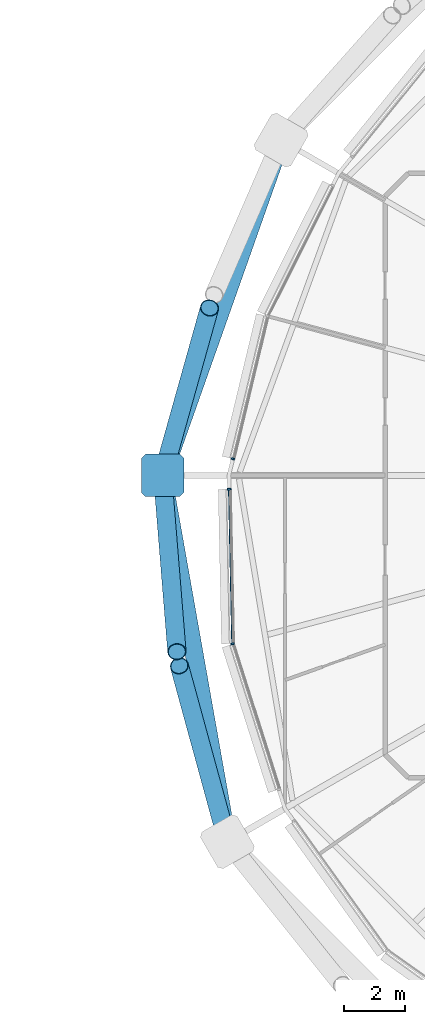
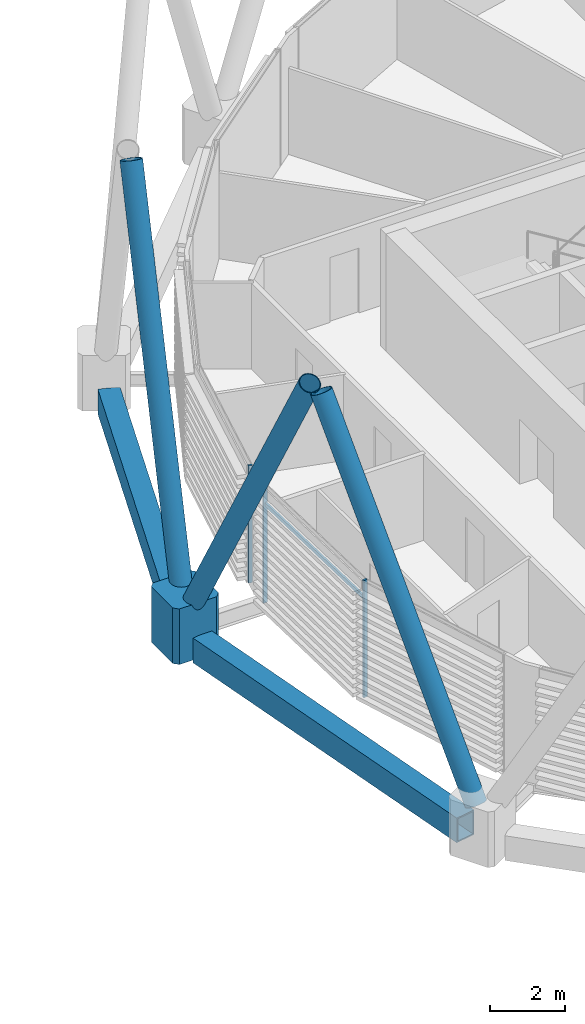
# One storey, part 9 of 37: 8 members, 2 beams, 1 element without a shape of its own.
"""IFC4 building model written with IfcOpenShell, lengths in metres."""

from ifc_helpers import new_model, si_unit, direction, frame, origin, origin_2d, place, context, subcontext, project, spatial, polyline, rectangle, hollow_rectangle, hollow_circle, outline, extrude, material, material_profile, profile_set, type_object, element, aggregate, save


model = new_model("IFC4")

# Units and contexts
model_context = context("Model", 3, precision=1e-05, world=origin(), true_north=direction((0.0, 1.0)))
body_context = subcontext(model_context, "Body", "Model", "MODEL_VIEW")
ifc_project = project(units=[si_unit("LENGTHUNIT", "METRE"), si_unit("AREAUNIT", "SQUARE_METRE"), si_unit("VOLUMEUNIT", "CUBIC_METRE"), si_unit("PLANEANGLEUNIT", "RADIAN"), si_unit("MASSUNIT", "GRAM", prefix="KILO")], contexts=[model_context])

# Site, building, storey
site_placement = place(None, origin())
site = spatial("IfcSite", under=ifc_project, at=site_placement, CompositionType="ELEMENT")
building_placement = place(site_placement, origin())
building = spatial("IfcBuilding", under=site, at=building_placement, Name="Rimbun Link Towers", CompositionType="ELEMENT")
storey_placement = place(building_placement, frame((0.0, 0.0, 170.300048828125)))
storey = spatial("IfcBuildingStorey", under=building, at=storey_placement, Name="L41", CompositionType="ELEMENT", Elevation=170.300048828125)

# Curtain wall, members
ifc_material_1 = material(Name="Aluminium 6063-T6 and low-iron glass", Category="aluminium")
curtain_wall_type = type_object("IfcCurtainWallType", Name="CW1-Z3 unitised vision wall (zone 3)", PredefinedType="NOTDEFINED", material=ifc_material_1)
curtain_wall_placement = place(storey_placement, origin())
curtain_wall = element("IfcCurtainWall", 1, at=curtain_wall_placement, inside=storey, type_object=curtain_wall_type, Name="CW1 L41 T2", PredefinedType="NOTDEFINED")
ifc_material_2 = material(Name="Aluminium 6063-T6", Category="aluminium")
ifc_material_profile_1 = material_profile(ifc_material_2, rectangle(XDim=0.1201171875, YDim=0.06005859375, at=origin_2d()), Name="MULLION 60X120")
ifc_profile_set_1 = profile_set([ifc_material_profile_1], Name="Aluminium 6063-T6")
member_type_1 = type_object("IfcMemberType", Name="CW1 mullion 60X120", PredefinedType="MULLION", material=ifc_profile_set_1)
member_1_placement = place(storey_placement, frame((10.986572265625, 0.548828125, 0.0), z_axis=(0.0, 0.0, 1.0), x_axis=(-0.972573786264, 0.232594562001, 0.0)))
member_1 = element("IfcMember", 2, at=member_1_placement, type_object=member_type_1, Name="CW1 mullion", PredefinedType="MULLION", context=body_context, shape_type="SweptSolid", body=[
    extrude(rectangle(XDim=0.1201171875, YDim=0.06005859375, at=origin_2d()), origin(), (0.0, 0.0, 1.0), 3.800048828125),
])
member_2_placement = place(storey_placement, frame((10.974609375, -5.560791015625, 0.0), z_axis=(0.0, 0.0, 1.0), x_axis=(-0.986503078332, -0.163742714165, 0.0)))
member_2 = element("IfcMember", 3, at=member_2_placement, type_object=member_type_1, Name="CW1 mullion", PredefinedType="MULLION", context=body_context, shape_type="SweptSolid", body=[
    extrude(rectangle(XDim=0.1201171875, YDim=0.06005859375, at=origin_2d()), origin(), (0.0, 0.0, 1.0), 3.800048828125),
])
member_3_placement = place(storey_placement, frame((10.866455078125, -0.451171875, 0.0), z_axis=(0.0, 0.0, 1.0), x_axis=(-0.999778319348, -0.021054979477, 0.0)))
member_3 = element("IfcMember", 4, at=member_3_placement, type_object=member_type_1, Name="CW1 mullion", PredefinedType="MULLION", context=body_context, shape_type="SweptSolid", body=[
    extrude(rectangle(XDim=0.1201171875, YDim=0.06005859375, at=origin_2d()), origin(), (0.0, 0.0, 1.0), 3.800048828125),
])
ifc_material_3 = material(Name="Aluminium 6063-T6", Category="aluminium")
ifc_material_profile_2 = material_profile(ifc_material_3, rectangle(XDim=0.06005859375, YDim=0.1201171875, at=origin_2d()), Name="TRANSOM 60X120")
ifc_profile_set_2 = profile_set([ifc_material_profile_2], Name="Aluminium 6063-T6")
member_type_2 = type_object("IfcMemberType", Name="CW1 transom 60X120", PredefinedType="USERDEFINED", material=ifc_profile_set_2)
member_4_placement = place(storey_placement, frame((10.97509765625, -5.522216796875, 3.199951171875), z_axis=(-0.021014343358, 0.999779174305, 0.0), x_axis=(-0.999779174305, -0.021014343358, 0.0)))
member_4 = element("IfcMember", 5, at=member_4_placement, type_object=member_type_2, Name="CW1 transom", ObjectType="TRANSOM", PredefinedType="USERDEFINED", context=body_context, shape_type="SweptSolid", body=[
    extrude(rectangle(XDim=0.06005859375, YDim=0.1201171875, at=origin_2d()), origin(), (0.0, 0.0, 1.0), 5.042236328125),
])
aggregate(curtain_wall, [member_1, member_2, member_3, member_4])

# Members
ifc_material_4 = material(Name="Steel S355J2H", Category="steel")
ifc_material_profile_3 = material_profile(ifc_material_4, hollow_circle(Radius=0.3046875, WallThickness=0.02490234375, at=origin_2d()), Name="Diagrid diagonal CHS 610x25")
ifc_profile_set_3 = profile_set([ifc_material_profile_3], Name="Steel S355J2H")
member_type_3 = type_object("IfcMemberType", Name="Diagrid diagonal CHS 610x25", PredefinedType="BRACE", material=ifc_profile_set_3)
member_5_placement = place(storey_placement, frame((8.7294921875, 0.223388671875, 0.44287109375), z_axis=(0.125271225171, 0.446994714804, 0.885721652147), x_axis=(-0.962900955652, 0.269855052953, 0.0)))
element("IfcMember", 6, at=member_5_placement, inside=storey, type_object=member_type_3, Name="Diagrid diagonal T2 L41-L44 09a", PredefinedType="BRACE", context=body_context, shape_type="SweptSolid", body=[
    extrude(hollow_circle(Radius=0.3046875, WallThickness=0.02490234375, at=origin_2d()), origin(), (0.0, 0.0, 1.0), 11.87060546875),
])
member_6_placement = place(storey_placement, frame((8.685791015625, -0.234375, 0.441162109375), z_axis=(0.038023188161, -0.468652183395, 0.882564087282), x_axis=(0.996724873098, 0.080867344137, 0.0)))
element("IfcMember", 7, at=member_6_placement, inside=storey, type_object=member_type_3, Name="Diagrid diagonal T2 L41-L44 09b", PredefinedType="BRACE", context=body_context, shape_type="SweptSolid", body=[
    extrude(hollow_circle(Radius=0.3046875, WallThickness=0.02490234375, at=origin_2d()), origin(), (0.0, 0.0, 1.0), 11.9169921875),
])
member_7_placement = place(storey_placement, frame((10.743896484375, -11.859130859375, 0.438232421875), z_axis=(-0.126836999314, 0.464255548715, 0.876572393526), x_axis=(-0.964646711099, -0.263546433796, 0.0)))
element("IfcMember", 8, at=member_7_placement, inside=storey, type_object=member_type_3, Name="Diagrid diagonal T2 L41-L44 11a", PredefinedType="BRACE", context=body_context, shape_type="SweptSolid", body=[
    extrude(hollow_circle(Radius=0.3046875, WallThickness=0.02490234375, at=origin_2d()), origin(), (0.0, 0.0, 1.0), 12.005126953125),
])
ifc_material_5 = material(Name="Cast steel G20Mn5+QT, Rp0.2 300 MPa", Category="steel")
ifc_material_profile_4 = material_profile(ifc_material_5, outline(polyline([(0.699951171875, -0.570068359375), (0.699951171875, 0.570068359375), (0.570068359375, 0.699951171875), (-0.570068359375, 0.699951171875), (-0.699951171875, 0.570068359375), (-0.699951171875, -0.570068359375), (-0.570068359375, -0.699951171875), (0.570068359375, -0.699951171875), (0.699951171875, -0.570068359375)])), Name="NODE 1400x1400")
ifc_profile_set_4 = profile_set([ifc_material_profile_4], Name="Cast steel G20Mn5+QT, Rp0.2 300 MPa")
member_type_4 = type_object("IfcMemberType", Name="Diagrid node cast 1400", PredefinedType="USERDEFINED", material=ifc_profile_set_4)
member_8_placement = place(storey_placement, frame((8.6669921875, 0.0, -0.900146484375), z_axis=(0.0, 0.0, 1.0), x_axis=(-1.0, 0.0, 0.0)))
element("IfcMember", 9, at=member_8_placement, inside=storey, type_object=member_type_4, Name="Diagrid node L41 09", ObjectType="Diagrid node", PredefinedType="USERDEFINED", context=body_context, shape_type="SweptSolid", body=[
    extrude(outline(polyline([(0.699951171875, -0.570068359375), (0.699951171875, 0.570068359375), (0.570068359375, 0.699951171875), (-0.570068359375, 0.699951171875), (-0.699951171875, 0.570068359375), (-0.699951171875, -0.570068359375), (-0.570068359375, -0.699951171875), (0.570068359375, -0.699951171875), (0.699951171875, -0.570068359375)])), origin(), (0.0, 0.0, 1.0), 1.800048828125),
])

# Beams
ifc_material_6 = material(Name="Steel S355J2", Category="steel")
ifc_material_profile_5 = material_profile(ifc_material_6, hollow_rectangle(XDim=0.60009765625, YDim=0.800048828125, WallThickness=0.0400390625, at=origin_2d()), Name="Exoskeleton ring girder BOX 600x800x40")
ifc_profile_set_5 = profile_set([ifc_material_profile_5], Name="Steel S355J2")
beam_type = type_object("IfcBeamType", Name="Exoskeleton ring girder BOX 600x800x40", PredefinedType="BEAM", material=ifc_profile_set_5)
beam_1_placement = place(storey_placement, frame((12.347900390625, 10.4072265625, -0.56005859375), z_axis=(-0.333446274443, -0.942769103259, 0.0), x_axis=(0.942769103259, -0.333446274443, 0.0)))
element("IfcBeam", 10, at=beam_1_placement, inside=storey, type_object=beam_type, Name="Exoskeleton ring girder L41 03", PredefinedType="BEAM", context=body_context, shape_type="SweptSolid", body=[
    extrude(hollow_rectangle(XDim=0.60009765625, YDim=0.800048828125, WallThickness=0.0400390625, at=origin_2d()), origin(), (0.0, 0.0, 1.0), 10.339111328125),
])
beam_2_placement = place(storey_placement, frame((8.788818359375, -0.689208984375, -0.56005859375), z_axis=(0.174321708336, -0.984688753872, 0.0), x_axis=(0.984688753872, 0.174321708336, 0.0)))
element("IfcBeam", 11, at=beam_2_placement, inside=storey, type_object=beam_type, Name="Exoskeleton ring girder L41 04", PredefinedType="BEAM", context=body_context, shape_type="SweptSolid", body=[
    extrude(hollow_rectangle(XDim=0.60009765625, YDim=0.800048828125, WallThickness=0.0400390625, at=origin_2d()), origin(), (0.0, 0.0, 1.0), 10.879150390625),
])

save(model, "model.ifc")
